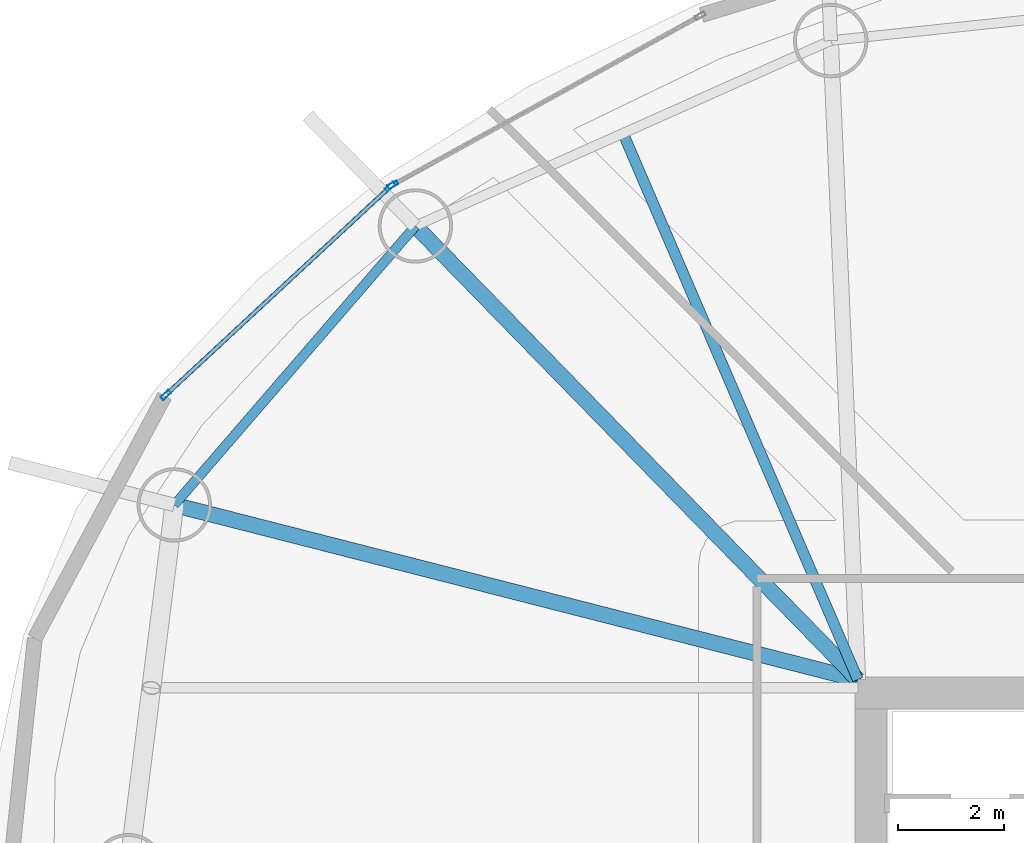
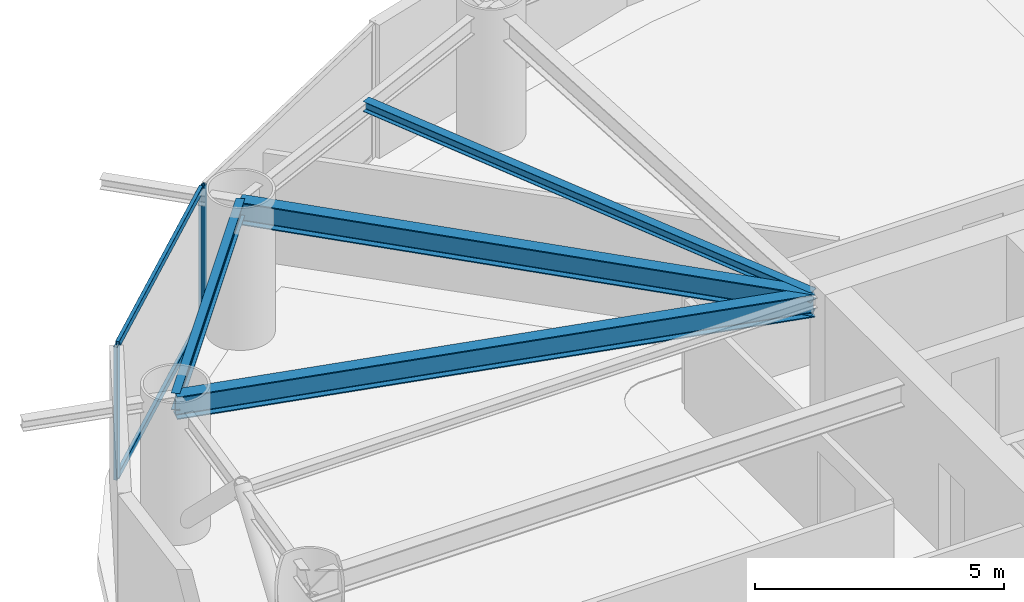
# One storey, part 8 of 21: 5 members, 4 beams, 2 elements without a shape of their own.
"""IFC4 building model written with IfcOpenShell, lengths in metres."""

import ifcopenshell
import ifcopenshell.guid

model = None  # the IFC model being written
_history = None  # IfcOwnerHistory: only IFC2X3 demands one
_inside = {}  # id of a spatial element -> (the spatial element, [elements in it])
_under = {}  # id of a project, library or spatial element -> (it, [spatial elements below it])
_declared = {}  # id of a project -> (the project, [libraries it declares])
_typed = {}  # id of a type object -> (the type object, [elements of that type])
_made_of = {}  # id of a material, layer set ... -> (it, [elements and type objects made of it])


def new_model(schema):
    """Start an empty IFC model of exactly this schema.

    Asked for "IFC4X3", IfcOpenShell would pick the latest addendum, in which some entities
    have other attributes; the version numbers below select the first issue.
    IFC2X3 requires an IfcOwnerHistory on every rooted entity: one is made here for all.
    """
    global model, _history
    if schema == "IFC4X3":
        model = ifcopenshell.file(schema_version=(4, 3, 0, 0))
    else:
        model = ifcopenshell.file(schema=schema)
    _inside.clear()
    _under.clear()
    _declared.clear()
    _typed.clear()
    _made_of.clear()
    _history = None
    if model.schema == "IFC2X3":
        org = make("IfcOrganization", Name="unknown")
        user = make(
            "IfcPersonAndOrganization",
            ThePerson=make("IfcPerson", FamilyName="unknown"),
            TheOrganization=org,
        )
        app = make(
            "IfcApplication",
            ApplicationDeveloper=org,
            Version="unknown",
            ApplicationFullName="unknown",
            ApplicationIdentifier="unknown",
        )
        _history = make(
            "IfcOwnerHistory",
            OwningUser=user,
            OwningApplication=app,
            ChangeAction="ADDED",
            CreationDate=0,
        )
    return model


def make(cls, **values):
    """One entity of the class cls with the attributes given. An attribute that is None is left unset."""
    return model.create_entity(
        cls, **{name: value for name, value in values.items() if value is not None}
    )


def rooted(cls, **values):
    """An entity with a GlobalId (a new one), such as an element, a storey or a relation."""
    return make(cls, GlobalId=ifcopenshell.guid.new(), OwnerHistory=_history, **values)


def si_unit(unit_type, name, prefix=None):
    """IfcSIUnit, for example si_unit("LENGTHUNIT", "METRE", prefix="MILLI")."""
    return make("IfcSIUnit", UnitType=unit_type, Prefix=prefix, Name=name)


def assignment(units):
    """IfcUnitAssignment: the units of a project."""
    return None if units is None else make("IfcUnitAssignment", Units=units)


def point(xyz):
    """IfcCartesianPoint."""
    return None if xyz is None else make("IfcCartesianPoint", Coordinates=xyz)


def direction(xyz):
    """IfcDirection."""
    return None if xyz is None else make("IfcDirection", DirectionRatios=xyz)


def frame(location, z_axis=None, x_axis=None):
    """IfcAxis2Placement3D, a coordinate frame: its origin and axes. An axis left out is left unset."""
    return make(
        "IfcAxis2Placement3D",
        Location=point(location),
        Axis=direction(z_axis),
        RefDirection=direction(x_axis),
    )


def frame_2d(location, x_axis=None):
    """IfcAxis2Placement2D, a coordinate frame in the plane: its origin and x axis."""
    return make(
        "IfcAxis2Placement2D", Location=point(location), RefDirection=direction(x_axis)
    )


def origin():
    """The frame at (0, 0, 0) with its axes left unset."""
    return frame((0.0, 0.0, 0.0))


def origin_2d():
    """The frame at (0, 0) in the plane with its x axis left unset."""
    return frame_2d((0.0, 0.0))


def place(relative_to, where):
    """IfcLocalPlacement: puts the frame where relative to a parent placement (None: the world)."""
    return make(
        "IfcLocalPlacement", PlacementRelTo=relative_to, RelativePlacement=where
    )


def context(
    kind, dimensions, precision=None, world=None, true_north=None, identifier=None
):
    """IfcGeometricRepresentationContext, for example the 3D "Model" context."""
    return make(
        "IfcGeometricRepresentationContext",
        ContextIdentifier=identifier,
        ContextType=kind,
        CoordinateSpaceDimension=dimensions,
        Precision=precision,
        WorldCoordinateSystem=world,
        TrueNorth=true_north,
    )


def subcontext(parent, identifier, kind, view, scale=None):
    """IfcGeometricRepresentationSubContext, for example "Body" below "Model"."""
    return make(
        "IfcGeometricRepresentationSubContext",
        ContextIdentifier=identifier,
        ContextType=kind,
        ParentContext=parent,
        TargetScale=scale,
        TargetView=view,
    )


def project(units=None, contexts=None):
    """IfcProject with its units and contexts."""
    return rooted(
        "IfcProject",
        Name="project",
        RepresentationContexts=contexts,
        UnitsInContext=assignment(units),
    )


def spatial(cls, under=None, at=None, **own):
    """A site, building, storey or space (cls), placed at a placement, below another one or the project."""
    s = rooted(cls, ObjectPlacement=at, **own)
    if under is not None:
        _under.setdefault(under.id(), (under, []))[1].append(s)
    return s


def profile(cls, at=None, kind="AREA", **sizes):
    """A parametric profile (cls). Its sizes go by their IFC names, for example OverallWidth=200.0."""
    return make(cls, ProfileType=kind, Position=at, **sizes)


def hollow_rectangle(**sizes):
    """IfcRectangleHollowProfileDef."""
    return profile("IfcRectangleHollowProfileDef", **sizes)


def i_section(**sizes):
    """IfcIShapeProfileDef."""
    return profile("IfcIShapeProfileDef", **sizes)


def extrude(swept, where, along, depth):
    """IfcExtrudedAreaSolid: the profile swept, set in the frame where, extruded along a direction by depth."""
    return make(
        "IfcExtrudedAreaSolid",
        SweptArea=swept,
        Position=where,
        ExtrudedDirection=direction(along),
        Depth=depth,
    )


def shape(context_of_items, identifier, shape_type, items):
    """IfcShapeRepresentation: the items that make up one representation, for example the "Body"."""
    return make(
        "IfcShapeRepresentation",
        ContextOfItems=context_of_items,
        RepresentationIdentifier=identifier,
        RepresentationType=shape_type,
        Items=items,
    )


def material(Name=None, Category=None):
    """IfcMaterial."""
    return make("IfcMaterial", Name=Name, Category=Category)


def layer(
    of_material, thickness, ventilated=None, Name=None, Category=None, Priority=None
):
    """IfcMaterialLayer: one layer of a wall or slab, of a material (None: an air gap)."""
    return make(
        "IfcMaterialLayer",
        Material=of_material,
        LayerThickness=thickness,
        IsVentilated=ventilated,
        Name=Name,
        Category=Category,
        Priority=Priority,
    )


def layer_set(layers, Name=None):
    """IfcMaterialLayerSet."""
    return make("IfcMaterialLayerSet", MaterialLayers=layers, LayerSetName=Name)


def material_profile(
    of_material, cross_section, Name=None, Category=None, Priority=None
):
    """IfcMaterialProfile: a cross section and its material."""
    return make(
        "IfcMaterialProfile",
        Name=Name,
        Material=of_material,
        Profile=cross_section,
        Priority=Priority,
        Category=Category,
    )


def profile_set(profiles, Name=None, composite=None):
    """IfcMaterialProfileSet."""
    return make(
        "IfcMaterialProfileSet",
        Name=Name,
        MaterialProfiles=profiles,
        CompositeProfile=composite,
    )


def made_of(thing, what):
    """Note that an element or type object is made of a material, layer set ...; save() writes the relation."""
    if what is not None:
        _made_of.setdefault(what.id(), (what, []))[1].append(thing)
    return thing


def type_object(cls, material=None, **own):
    """A type object (cls), such as IfcWallType, which elements share."""
    return made_of(rooted(cls, **own), material)


def element(
    cls,
    number,
    at=None,
    inside=None,
    cuts=None,
    type_object=None,
    material=None,
    context=None,
    identifier="Body",
    shape_type=None,
    held_by="IfcProductDefinitionShape",
    body=None,
    shapes=None,
    **own,
):
    """One element of the class cls, such as IfcWall. Its Tag is "e" and its number.

    at: its placement. inside: the storey or other place that contains it. cuts: it is an
    opening in that element (IfcRelVoidsElement). A single representation is given by context,
    identifier, shape_type and body (its items); several are given by shapes. held_by: the class
    of the entity that holds the representations. save() writes the other relations.
    """
    e = rooted(cls, Tag="e%d" % number, ObjectPlacement=at, **own)
    if body is not None:
        shapes = [shape(context, identifier, shape_type, body)]
    if shapes is not None:
        e.Representation = make(held_by, Representations=shapes)
    if inside is not None:
        _inside.setdefault(inside.id(), (inside, []))[1].append(e)
    if cuts is not None:
        rooted(
            "IfcRelVoidsElement", RelatingBuildingElement=cuts, RelatedOpeningElement=e
        )
    if type_object is not None:
        _typed.setdefault(type_object.id(), (type_object, []))[1].append(e)
    return made_of(e, material)


def aggregate(whole, parts):
    """IfcRelAggregates: a whole, such as a stair, and the parts it consists of."""
    return rooted("IfcRelAggregates", RelatingObject=whole, RelatedObjects=parts)


def save(model, path):
    """Write the relations noted so far, then the file.

    IfcRelAggregates (storeys below a building ...), IfcRelContainedInSpatialStructure (elements
    in a storey), IfcRelDefinesByType, IfcRelAssociatesMaterial and IfcRelDeclares: one each for
    every whole, place, type object, material and project.
    """
    for whole, parts in _under.values():
        aggregate(whole, parts)
    for where, things in _inside.values():
        rooted(
            "IfcRelContainedInSpatialStructure",
            RelatedElements=things,
            RelatingStructure=where,
        )
    for kind, things in _typed.values():
        rooted("IfcRelDefinesByType", RelatedObjects=things, RelatingType=kind)
    for what, things in _made_of.values():
        rooted("IfcRelAssociatesMaterial", RelatedObjects=things, RelatingMaterial=what)
    for by, libraries in _declared.values():
        rooted("IfcRelDeclares", RelatingContext=by, RelatedDefinitions=libraries)
    model.write(path)


model = new_model("IFC4")

# Units and contexts
model_context = context("Model", 3, precision=1e-05, world=origin(), true_north=direction((0.0, 1.0)))
body_context = subcontext(model_context, "Body", "Model", "MODEL_VIEW")
ifc_project = project(units=[si_unit("LENGTHUNIT", "METRE"), si_unit("AREAUNIT", "SQUARE_METRE"), si_unit("VOLUMEUNIT", "CUBIC_METRE"), si_unit("PLANEANGLEUNIT", "RADIAN"), si_unit("MASSUNIT", "GRAM", prefix="KILO")], contexts=[model_context])

# Site, building, storey
site_placement = place(None, origin())
site = spatial("IfcSite", under=ifc_project, at=site_placement, CompositionType="ELEMENT")
building_placement = place(site_placement, origin())
building = spatial("IfcBuilding", under=site, at=building_placement, Name="Bramvorn Convention Spire", CompositionType="ELEMENT")
storey_placement = place(building_placement, frame((0.0, 0.0, 102.800048828125)))
storey = spatial("IfcBuildingStorey", under=building, at=storey_placement, Name="L24", CompositionType="ELEMENT", Elevation=102.800048828125)

# Beams
ifc_material_1 = material(Name="Steel CSA G40.21 Grade 350 (350W)", Category="steel")
ifc_material_profile_1 = material_profile(ifc_material_1, i_section(OverallWidth=0.201904296875, OverallDepth=0.2470703125, WebThickness=0.00732421875, FlangeThickness=0.010986328125, FilletRadius=0.011962890625, at=origin_2d()))
ifc_profile_set_1 = profile_set([ifc_material_profile_1], Name="Steel CSA G40.21 Grade 350 (350W) - W250X49")
beam_type_1 = type_object("IfcBeamType", Name="BM-W250X49", PredefinedType="JOIST", material=ifc_profile_set_1)
beam_1_placement = place(storey_placement, frame((26.75, 33.449951171875, 3.136474609375), z_axis=(-0.394937739893, 0.918707886985, 0.0), x_axis=(-0.918707886985, -0.394937739893, 0.0)))
element("IfcBeam", 1, at=beam_1_placement, inside=storey, type_object=beam_type_1, Name="L24 composite floor joist 07", PredefinedType="JOIST", context=body_context, shape_type="SweptSolid", body=[
    extrude(i_section(OverallWidth=0.201904296875, OverallDepth=0.2470703125, WebThickness=0.00732421875, FlangeThickness=0.010986328125, FilletRadius=0.011962890625, at=origin_2d()), origin(), (0.0, 0.0, 1.0), 11.19384765625),
])
ifc_material_profile_2 = material_profile(ifc_material_1, i_section(OverallWidth=0.180908203125, OverallDepth=0.4169921875, WebThickness=0.010986328125, FlangeThickness=0.018310546875, FilletRadius=0.01611328125, at=origin_2d()))
ifc_profile_set_2 = profile_set([ifc_material_profile_2], Name="Steel CSA G40.21 Grade 350 (350W) - W410X85")
beam_type_2 = type_object("IfcBeamType", Name="BM-W410X85", PredefinedType="JOIST", material=ifc_profile_set_2)
beam_2_placement = place(storey_placement, frame((18.420166015625, 41.9892578125, 3.051513671875), z_axis=(-0.653824993824, -0.756645807132, 0.0), x_axis=(0.756645807132, -0.653824993824, 0.0)))
element("IfcBeam", 2, at=beam_2_placement, inside=storey, type_object=beam_type_2, Name="L24 mega-column ring beam 08", PredefinedType="JOIST", context=body_context, shape_type="SweptSolid", body=[
    extrude(i_section(OverallWidth=0.180908203125, OverallDepth=0.4169921875, WebThickness=0.010986328125, FlangeThickness=0.018310546875, FilletRadius=0.01611328125, at=origin_2d()), origin(), (0.0, 0.0, 1.0), 6.9404296875),
])
ifc_material_profile_3 = material_profile(ifc_material_1, i_section(OverallWidth=0.2919921875, OverallDepth=0.551025390625, WebThickness=0.01513671875, FlangeThickness=0.0244140625, FilletRadius=0.01904296875, at=origin_2d()))
ifc_profile_set_3 = profile_set([ifc_material_profile_3], Name="Steel CSA G40.21 Grade 350 (350W) - W530X182")
beam_type_3 = type_object("IfcBeamType", Name="BM-W530X182", PredefinedType="BEAM", material=ifc_profile_set_3)
beam_3_placement = place(storey_placement, frame((26.75, 33.449951171875, 2.984375), z_axis=(-0.698272445638, 0.715832097397, 0.0), x_axis=(-0.715832097397, -0.698272445638, 0.0)))
element("IfcBeam", 3, at=beam_3_placement, inside=storey, type_object=beam_type_3, Name="L24 radial floor girder MC08", PredefinedType="BEAM", context=body_context, shape_type="SweptSolid", body=[
    extrude(i_section(OverallWidth=0.2919921875, OverallDepth=0.551025390625, WebThickness=0.01513671875, FlangeThickness=0.0244140625, FilletRadius=0.01904296875, at=origin_2d()), origin(), (0.0, 0.0, 1.0), 11.92919921875),
])
beam_4_placement = place(storey_placement, frame((26.75, 33.449951171875, 2.984375), z_axis=(-0.968872976577, 0.247558387576, 0.0), x_axis=(-0.247558387576, -0.968872976577, 0.0)))
element("IfcBeam", 4, at=beam_4_placement, inside=storey, type_object=beam_type_3, Name="L24 radial floor girder MC09", PredefinedType="BEAM", context=body_context, shape_type="SweptSolid", body=[
    extrude(i_section(OverallWidth=0.2919921875, OverallDepth=0.551025390625, WebThickness=0.01513671875, FlangeThickness=0.0244140625, FilletRadius=0.01904296875, at=origin_2d()), origin(), (0.0, 0.0, 1.0), 13.281005859375),
])

# Curtain wall, member
ifc_material_2 = material(Name="Anodised Bronze Unitised Curtain Wall", Category="aluminium")
ifc_layer = layer(ifc_material_2, 0.179931640625)
ifc_layer_set = layer_set([ifc_layer], Name="Anodised Bronze Unitised Curtain Wall - CW-HTL-FRIT")
curtain_wall_type = type_object("IfcCurtainWallType", Name="CW-HTL-FRIT", PredefinedType="USERDEFINED", material=ifc_layer_set)
curtain_wall_1_placement = place(storey_placement, origin())
curtain_wall_1 = element("IfcCurtainWall", 5, at=curtain_wall_1_placement, inside=storey, type_object=curtain_wall_type, Name="L24 fritted glass curtain wall 10", ObjectType="UNITISED CURTAIN WALL", PredefinedType="USERDEFINED")
ifc_material_3 = material(Name="Anodised Bronze Aluminium 6063-T6", Category="aluminium")
ifc_material_profile_4 = material_profile(ifc_material_3, hollow_rectangle(XDim=0.080078125, YDim=0.199951171875, WallThickness=0.00390625, InnerFilletRadius=0.0009765625, OuterFilletRadius=0.00390625, at=origin_2d()))
ifc_profile_set_4 = profile_set([ifc_material_profile_4], Name="Anodised Bronze Aluminium 6063-T6 - CWM80X200")
member_type_1 = type_object("IfcMemberType", Name="CW-MUL-180", PredefinedType="MULLION", material=ifc_profile_set_4)
member_1_placement = place(storey_placement, frame((17.994873046875, 42.76318359375, 0.0), z_axis=(0.0, 0.0, 1.0), x_axis=(-0.481959641892, 0.876193416768, 0.0)))
member_1 = element("IfcMember", 6, at=member_1_placement, type_object=member_type_1, Name="CW2 mullion 1", PredefinedType="MULLION", context=body_context, shape_type="SweptSolid", body=[
    extrude(hollow_rectangle(XDim=0.080078125, YDim=0.199951171875, WallThickness=0.00390625, InnerFilletRadius=0.0009765625, OuterFilletRadius=0.00390625, at=origin_2d()), origin(), (0.0, 0.0, 1.0), 3.260009765625),
])
aggregate(curtain_wall_1, [member_1])

# Curtain wall, members
curtain_wall_2_placement = place(storey_placement, origin())
curtain_wall_2 = element("IfcCurtainWall", 7, at=curtain_wall_2_placement, inside=storey, type_object=curtain_wall_type, Name="L24 fritted glass curtain wall 11", ObjectType="UNITISED CURTAIN WALL", PredefinedType="USERDEFINED")
member_2_placement = place(storey_placement, frame((13.722412109375, 38.80859375, 0.0), z_axis=(0.0, 0.0, 1.0), x_axis=(-0.680181631189, 0.733043619844, 0.0)))
member_2 = element("IfcMember", 8, at=member_2_placement, type_object=member_type_1, Name="CW2 mullion 1", PredefinedType="MULLION", context=body_context, shape_type="SweptSolid", body=[
    extrude(hollow_rectangle(XDim=0.080078125, YDim=0.199951171875, WallThickness=0.00390625, InnerFilletRadius=0.0009765625, OuterFilletRadius=0.00390625, at=origin_2d()), origin(), (0.0, 0.0, 1.0), 3.260009765625),
])
member_3_placement = place(storey_placement, frame((17.94677734375, 42.728515625, 0.0), z_axis=(0.0, 0.0, 1.0), x_axis=(-0.680181631189, 0.733043619844, 0.0)))
member_3 = element("IfcMember", 9, at=member_3_placement, type_object=member_type_1, Name="CW2 mullion 2", PredefinedType="MULLION", context=body_context, shape_type="SweptSolid", body=[
    extrude(hollow_rectangle(XDim=0.080078125, YDim=0.199951171875, WallThickness=0.00390625, InnerFilletRadius=0.0009765625, OuterFilletRadius=0.00390625, at=origin_2d()), origin(), (0.0, 0.0, 1.0), 3.260009765625),
])
ifc_material_profile_5 = material_profile(ifc_material_3, hollow_rectangle(XDim=0.080078125, YDim=0.159912109375, WallThickness=0.00390625, InnerFilletRadius=0.0009765625, OuterFilletRadius=0.00390625, at=origin_2d()))
ifc_profile_set_5 = profile_set([ifc_material_profile_5], Name="Anodised Bronze Aluminium 6063-T6 - CWT80X160")
member_type_2 = type_object("IfcMemberType", Name="CW-TRN-150", PredefinedType="USERDEFINED", material=ifc_profile_set_5)
member_4_placement = place(storey_placement, frame((13.744384765625, 38.8291015625, 0.030029296875), z_axis=(0.733048076175, 0.680176828492, 0.0), x_axis=(-0.680176828492, 0.733048076175, 0.0)))
member_4 = element("IfcMember", 10, at=member_4_placement, type_object=member_type_2, Name="CW2 transom 1.1", ObjectType="TRANSOM", PredefinedType="USERDEFINED", context=body_context, shape_type="SweptSolid", body=[
    extrude(hollow_rectangle(XDim=0.080078125, YDim=0.159912109375, WallThickness=0.00390625, InnerFilletRadius=0.0009765625, OuterFilletRadius=0.00390625, at=origin_2d()), origin(), (0.0, 0.0, 1.0), 5.702880859375),
])
member_5_placement = place(storey_placement, frame((13.744384765625, 38.8291015625, 3.22998046875), z_axis=(0.733048076175, 0.680176828492, 0.0), x_axis=(-0.680176828492, 0.733048076175, 0.0)))
member_5 = element("IfcMember", 11, at=member_5_placement, type_object=member_type_2, Name="CW2 transom 1.2", ObjectType="TRANSOM", PredefinedType="USERDEFINED", context=body_context, shape_type="SweptSolid", body=[
    extrude(hollow_rectangle(XDim=0.080078125, YDim=0.159912109375, WallThickness=0.00390625, InnerFilletRadius=0.0009765625, OuterFilletRadius=0.00390625, at=origin_2d()), origin(), (0.0, 0.0, 1.0), 5.702880859375),
])
aggregate(curtain_wall_2, [member_2, member_3, member_4, member_5])

save(model, "model.ifc")
